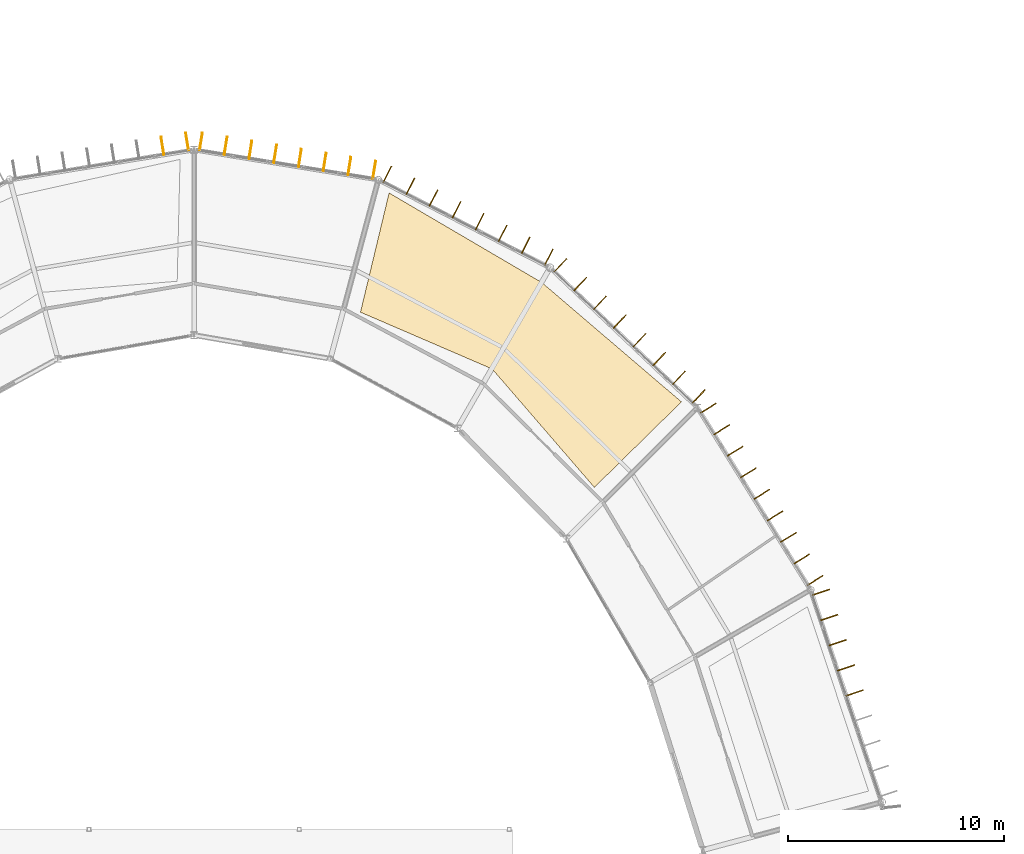
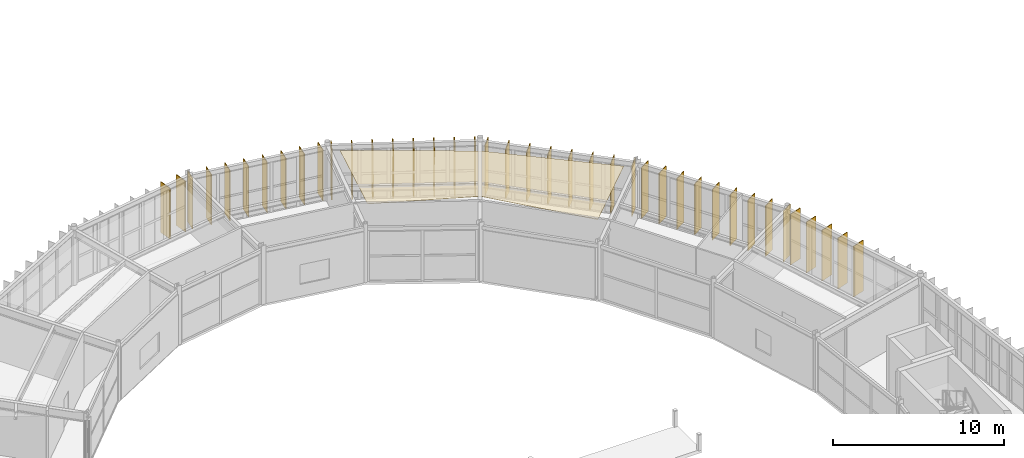
# One storey, part 144 of 147: 40 shading devices, 1 covering.
"""IFC4 building model written with IfcOpenShell, lengths in metres."""

from ifc_helpers import new_model, si_unit, direction, frame, origin, origin_2d, place, context, subcontext, project, spatial, polyline, rectangle, outline, extrude, material, layer, layer_set, type_object, element, save


model = new_model("IFC4")

# Units and contexts
model_context = context("Model", 3, precision=1e-05, world=origin(), true_north=direction((0.0, 1.0)))
body_context = subcontext(model_context, "Body", "Model", "MODEL_VIEW")
ifc_project = project(units=[si_unit("LENGTHUNIT", "METRE"), si_unit("AREAUNIT", "SQUARE_METRE"), si_unit("VOLUMEUNIT", "CUBIC_METRE"), si_unit("PLANEANGLEUNIT", "RADIAN"), si_unit("MASSUNIT", "GRAM", prefix="KILO")], contexts=[model_context])

# Site, building, storey
site_placement = place(None, origin())
site = spatial("IfcSite", under=ifc_project, at=site_placement, CompositionType="ELEMENT")
building_placement = place(site_placement, origin())
building = spatial("IfcBuilding", under=site, at=building_placement, Name="Karori Crest Natural Sciences Institute", CompositionType="ELEMENT")
storey_placement = place(building_placement, frame((0.0, 0.0, 9.10009765625)))
storey = spatial("IfcBuildingStorey", under=building, at=storey_placement, Name="L02", CompositionType="ELEMENT", Elevation=9.10009765625)

# Covering
ifc_material_1 = material(Name="Acoustic mineral fibre ceiling tile")
ifc_layer_1 = layer(ifc_material_1, 0.02490234375, Name="Acoustic mineral fibre ceiling tile")
ifc_layer_set_1 = layer_set([ifc_layer_1], Name="Acoustic mineral fibre ceiling tile")
covering_type = type_object("IfcCoveringType", Name="CVT-CEIL", PredefinedType="CEILING", material=ifc_layer_set_1)
covering_placement = place(storey_placement, frame((0.0, 0.0, 3.704833984375)))
element("IfcCovering", 1, at=covering_placement, inside=storey, type_object=covering_type, Name="Acoustic ceiling CLG-0066", PredefinedType="CEILING", context=body_context, shape_type="SweptSolid", body=[
    extrude(outline(polyline([(80.218017578125, 80.534912109375), (84.952880859375, 75.04833984375), (88.989013671875, 79.01171875), (82.518798828125, 84.5419921875), (75.43798828125, 88.69580078125), (74.111572265625, 83.16845703125), (80.218017578125, 80.534912109375)])), origin(), (0.0, 0.0, 1.0), 0.025146484375),
])

# Shading devices
ifc_material_2 = material(Name="Anodised architectural aluminium 6063-T6", Category="aluminium")
ifc_layer_2 = layer(ifc_material_2, 0.044921875, Name="Anodised architectural aluminium 6063-T6")
ifc_layer_set_2 = layer_set([ifc_layer_2], Name="Anodised architectural aluminium 6063-T6")
shading_device_type = type_object("IfcShadingDeviceType", Name="SDT-FIN", PredefinedType="USERDEFINED", material=ifc_layer_set_2)
for number, where, z_axis, x_axis, name in (
    (2, (95.4501953125, 70.18359375, 0.0), (0.0, 0.0, 1.0), (0.948196204549, 0.317685312343, 0.0), "Vertical solar fin FN-0214"),
    (3, (95.841064453125, 69.01708984375, 0.0), (0.0, 0.0, 1.0), (0.948196204549, 0.317685312343, 0.0), "Vertical solar fin FN-0215"),
    (4, (96.231689453125, 67.8505859375, 0.0), (0.0, 0.0, 1.0), (0.948196204549, 0.317685312343, 0.0), "Vertical solar fin FN-0216"),
    (5, (96.62255859375, 66.68408203125, 0.0), (0.0, 0.0, 1.0), (0.948196204549, 0.317685312343, 0.0), "Vertical solar fin FN-0217"),
    (6, (97.013427734375, 65.517578125, 0.0), (0.0, 0.0, 1.0), (0.948196204549, 0.317685312343, 0.0), "Vertical solar fin FN-0218"),
    (7, (90.236083984375, 78.719482421875, 0.0), (0.0, 0.0, 1.0), (0.849665445313, 0.527322132136, 0.0), "Vertical solar fin FN-0223"),
    (8, (90.855224609375, 77.7216796875, 0.0), (0.0, 0.0, 1.0), (0.849665445313, 0.527322132136, 0.0), "Vertical solar fin FN-0224"),
    (9, (91.474609375, 76.723876953125, 0.0), (0.0, 0.0, 1.0), (0.849665445313, 0.527322132136, 0.0), "Vertical solar fin FN-0225"),
    (10, (92.09375, 75.72607421875, 0.0), (0.0, 0.0, 1.0), (0.849665445313, 0.527322132136, 0.0), "Vertical solar fin FN-0226"),
    (11, (92.712890625, 74.728271484375, 0.0), (0.0, 0.0, 1.0), (0.849665445313, 0.527322132136, 0.0), "Vertical solar fin FN-0227"),
    (12, (93.332275390625, 73.73046875, 0.0), (0.0, 0.0, 1.0), (0.849665445313, 0.527322132136, 0.0), "Vertical solar fin FN-0228"),
    (13, (93.951416015625, 72.732666015625, 0.0), (0.0, 0.0, 1.0), (0.849665445313, 0.527322132136, 0.0), "Vertical solar fin FN-0229"),
    (14, (94.57080078125, 71.73486328125, 0.0), (0.0, 0.0, 1.0), (0.849665445313, 0.527322132136, 0.0), "Vertical solar fin FN-0230"),
    (15, (95.18994140625, 70.737060546875, 0.0), (0.0, 0.0, 1.0), (0.849665445313, 0.527322132136, 0.0), "Vertical solar fin FN-0231"),
    (16, (83.382080078125, 85.34130859375, 0.0), (0.0, 0.0, 1.0), (0.688245690469, 0.725477683703, 0.0), "Vertical solar fin FN-0232"),
    (17, (84.297607421875, 84.472900390625, 0.0), (0.0, 0.0, 1.0), (0.688245690469, 0.725477683703, 0.0), "Vertical solar fin FN-0233"),
    (18, (85.213134765625, 83.6044921875, 0.0), (0.0, 0.0, 1.0), (0.688245690469, 0.725477683703, 0.0), "Vertical solar fin FN-0234"),
    (19, (86.12841796875, 82.736083984375, 0.0), (0.0, 0.0, 1.0), (0.688245690469, 0.725477683703, 0.0), "Vertical solar fin FN-0235"),
    (20, (87.0439453125, 81.86767578125, 0.0), (0.0, 0.0, 1.0), (0.688245690469, 0.725477683703, 0.0), "Vertical solar fin FN-0236"),
    (21, (87.959228515625, 80.999267578125, 0.0), (0.0, 0.0, 1.0), (0.688245690469, 0.725477683703, 0.0), "Vertical solar fin FN-0237"),
    (22, (88.874755859375, 80.130859375, 0.0), (0.0, 0.0, 1.0), (0.688245690469, 0.725477683703, 0.0), "Vertical solar fin FN-0238"),
    (23, (89.7900390625, 79.262451171875, 0.0), (0.0, 0.0, 1.0), (0.688245690469, 0.725477683703, 0.0), "Vertical solar fin FN-0239"),
    (24, (75.359375, 89.55615234375, 0.0), (0.0, 0.0, 1.0), (0.455832320655, 0.890065669176, 0.0), "Vertical solar fin FN-0240"),
    (25, (76.42822265625, 89.0087890625, 0.0), (0.0, 0.0, 1.0), (0.455832320655, 0.890065669176, 0.0), "Vertical solar fin FN-0241"),
    (26, (77.4970703125, 88.46142578125, 0.0), (0.0, 0.0, 1.0), (0.455832320655, 0.890065669176, 0.0), "Vertical solar fin FN-0242"),
    (27, (78.56591796875, 87.9140625, 0.0), (0.0, 0.0, 1.0), (0.455832320655, 0.890065669176, 0.0), "Vertical solar fin FN-0243"),
    (28, (79.634765625, 87.36669921875, 0.0), (0.0, 0.0, 1.0), (0.455832320655, 0.890065669176, 0.0), "Vertical solar fin FN-0244"),
    (29, (80.70361328125, 86.819091796875, 0.0), (0.0, 0.0, 1.0), (0.455832320655, 0.890065669176, 0.0), "Vertical solar fin FN-0245"),
    (30, (81.7724609375, 86.271728515625, 0.0), (0.0, 0.0, 1.0), (0.455832320655, 0.890065669176, 0.0), "Vertical solar fin FN-0246"),
    (31, (82.84130859375, 85.724365234375, 0.0), (0.0, 0.0, 1.0), (0.455832320655, 0.890065669176, 0.0), "Vertical solar fin FN-0247"),
    (32, (66.718017578125, 91.063720703125, 0.0), (0.0, 0.0, 1.0), (0.160651265334, 0.987011231419, 0.0), "Vertical solar fin FN-0248"),
    (33, (67.865478515625, 90.876708984375, 0.0), (0.0, 0.0, 1.0), (0.160651265334, 0.987011231419, 0.0), "Vertical solar fin FN-0249"),
    (34, (69.012939453125, 90.690185546875, 0.0), (0.0, 0.0, 1.0), (0.160651265334, 0.987011231419, 0.0), "Vertical solar fin FN-0250"),
    (35, (70.160400390625, 90.50341796875, 0.0), (0.0, 0.0, 1.0), (0.160651265334, 0.987011231419, 0.0), "Vertical solar fin FN-0251"),
    (36, (71.307861328125, 90.31640625, 0.0), (0.0, 0.0, 1.0), (0.160651265334, 0.987011231419, 0.0), "Vertical solar fin FN-0252"),
    (37, (72.455322265625, 90.1298828125, 0.0), (0.0, 0.0, 1.0), (0.160651265334, 0.987011231419, 0.0), "Vertical solar fin FN-0253"),
    (38, (73.602783203125, 89.943115234375, 0.0), (0.0, 0.0, 1.0), (0.160651265334, 0.987011231419, 0.0), "Vertical solar fin FN-0254"),
    (39, (74.750244140625, 89.756103515625, 0.0), (0.0, 0.0, 1.0), (0.160651265334, 0.987011231419, 0.0), "Vertical solar fin FN-0255"),
    (40, (64.936767578125, 90.877197265625, 0.0), (0.0, 0.0, 1.0), (-0.16065643331, 0.987010390237, 0.0), "Vertical solar fin FN-0262"),
    (41, (66.081787109375, 91.063720703125, 0.0), (0.0, 0.0, 1.0), (-0.16065643331, 0.987010390237, 0.0), "Vertical solar fin FN-0263"),
):
    element("IfcShadingDevice", number, at=place(storey_placement, frame(where, z_axis=z_axis, x_axis=x_axis)), inside=storey, type_object=shading_device_type, Name=name, ObjectType="SOLAR_FIN", PredefinedType="USERDEFINED", context=body_context, shape_type="SweptSolid", body=[
        extrude(rectangle(XDim=0.85009765625, YDim=0.044921875, at=origin_2d()), origin(), (0.0, 0.0, 1.0), 3.625),
    ])

save(model, "model.ifc")
